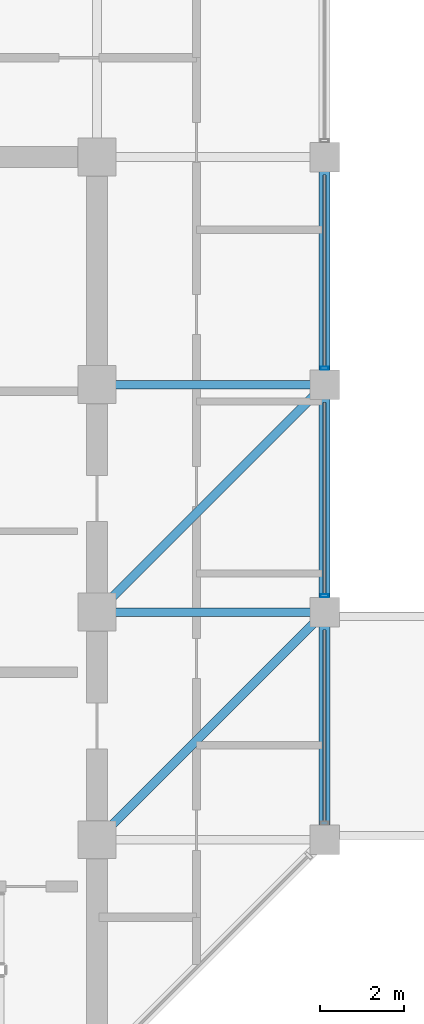
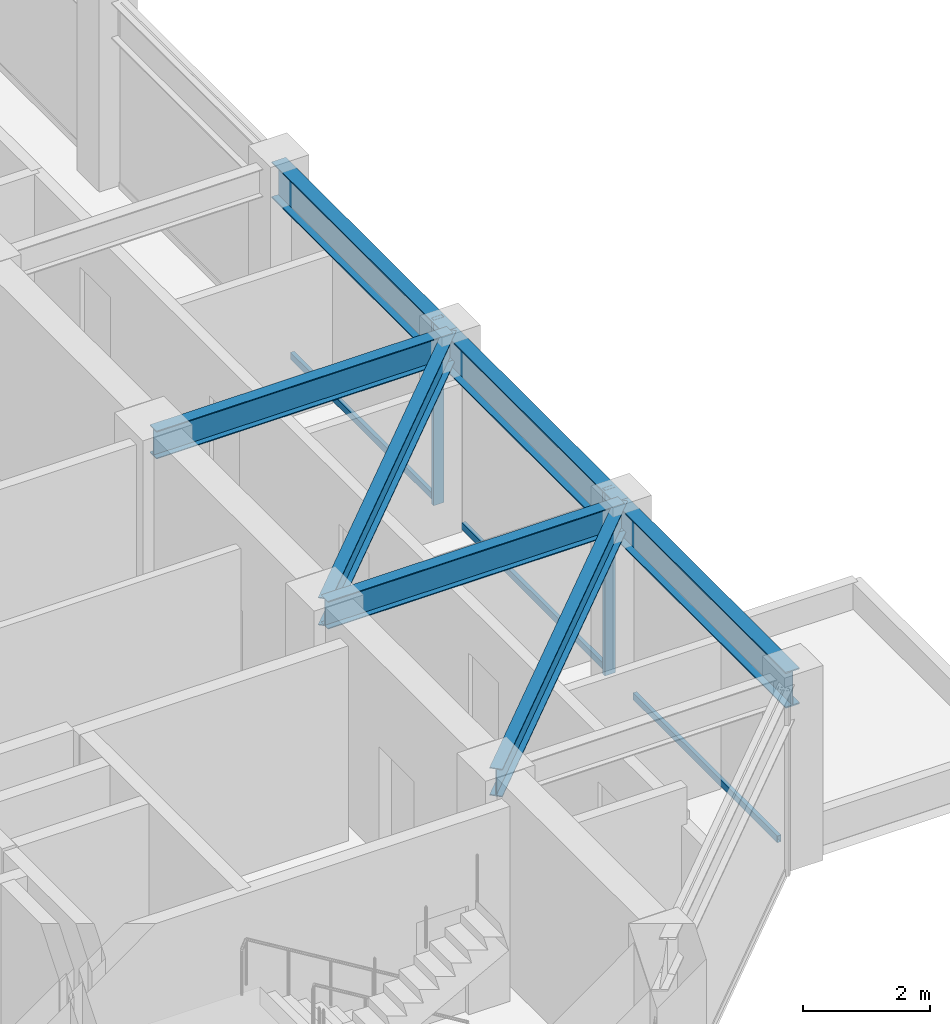
# One storey, part 11 of 29: 7 beams, 5 members, 1 element without a shape of its own.
"""IFC4 building model written with IfcOpenShell, lengths in metres."""

from ifc_helpers import new_model, si_unit, direction, frame, origin, origin_2d, place, context, subcontext, project, spatial, hollow_rectangle, i_section, extrude, material, layer, layer_set, material_profile, profile_set, type_object, element, aggregate, save


model = new_model("IFC4")

# Units and contexts
model_context = context("Model", 3, precision=1e-05, world=origin(), true_north=direction((0.0, 1.0)))
body_context = subcontext(model_context, "Body", "Model", "MODEL_VIEW")
ifc_project = project(units=[si_unit("LENGTHUNIT", "METRE"), si_unit("AREAUNIT", "SQUARE_METRE"), si_unit("VOLUMEUNIT", "CUBIC_METRE"), si_unit("PLANEANGLEUNIT", "RADIAN"), si_unit("MASSUNIT", "GRAM", prefix="KILO")], contexts=[model_context])

# Site, building, storey
site_placement = place(None, origin())
site = spatial("IfcSite", under=ifc_project, at=site_placement, CompositionType="ELEMENT")
building_placement = place(site_placement, origin())
building = spatial("IfcBuilding", under=site, at=building_placement, Name="Surkhivell Harbour Commons", CompositionType="ELEMENT")
storey_placement = place(building_placement, frame((0.0, 0.0, 326.25)))
storey = spatial("IfcBuildingStorey", under=building, at=storey_placement, Name="L85", CompositionType="ELEMENT", Elevation=326.25)

# Beams
ifc_material_1 = material(Name="Steel S355", Category="steel")
ifc_material_profile_1 = material_profile(ifc_material_1, i_section(OverallWidth=0.2099609375, OverallDepth=0.537109375, WebThickness=0.0107421875, FlangeThickness=0.017333984375, at=origin_2d()), Name="UB533x210x101")
ifc_profile_set_1 = profile_set([ifc_material_profile_1], Name="Steel S355")
beam_type_1 = type_object("IfcBeamType", Name="BM-GRD-533B", PredefinedType="BEAM", material=ifc_profile_set_1)
beam_1_placement = place(storey_placement, frame((10.800048828125, -5.39990234375, 3.301513671875), z_axis=(0.707106781187, 0.707106781187, 0.0), x_axis=(-0.707106781187, 0.707106781187, 0.0)))
element("IfcBeam", 1, at=beam_1_placement, inside=storey, type_object=beam_type_1, Name="L85 Floor Girder (10.8,-5.4)", PredefinedType="BEAM", context=body_context, shape_type="SweptSolid", body=[
    extrude(i_section(OverallWidth=0.2099609375, OverallDepth=0.537109375, WebThickness=0.0107421875, FlangeThickness=0.017333984375, at=origin_2d()), origin(), (0.0, 0.0, 1.0), 7.63671875),
])
beam_2_placement = place(storey_placement, frame((10.800048828125, 0.0, 3.301513671875), z_axis=(1.0, 0.0, 0.0), x_axis=(0.0, 1.0, 0.0)))
element("IfcBeam", 2, at=beam_2_placement, inside=storey, type_object=beam_type_1, Name="L85 Floor Girder (10.8,0.0)", PredefinedType="BEAM", context=body_context, shape_type="SweptSolid", body=[
    extrude(i_section(OverallWidth=0.2099609375, OverallDepth=0.537109375, WebThickness=0.0107421875, FlangeThickness=0.017333984375, at=origin_2d()), origin(), (0.0, 0.0, 1.0), 5.39990234375),
])
beam_3_placement = place(storey_placement, frame((10.800048828125, 0.0, 3.301513671875), z_axis=(0.707106781187, 0.707106781187, 0.0), x_axis=(-0.707106781187, 0.707106781187, 0.0)))
element("IfcBeam", 3, at=beam_3_placement, inside=storey, type_object=beam_type_1, Name="L85 Floor Girder (10.8,0.0)", PredefinedType="BEAM", context=body_context, shape_type="SweptSolid", body=[
    extrude(i_section(OverallWidth=0.2099609375, OverallDepth=0.537109375, WebThickness=0.0107421875, FlangeThickness=0.017333984375, at=origin_2d()), origin(), (0.0, 0.0, 1.0), 7.63671875),
])
beam_4_placement = place(storey_placement, frame((10.800048828125, 5.39990234375, 3.301513671875), z_axis=(1.0, 0.0, 0.0), x_axis=(0.0, 1.0, 0.0)))
element("IfcBeam", 4, at=beam_4_placement, inside=storey, type_object=beam_type_1, Name="L85 Floor Girder (10.8,5.4)", PredefinedType="BEAM", context=body_context, shape_type="SweptSolid", body=[
    extrude(i_section(OverallWidth=0.2099609375, OverallDepth=0.537109375, WebThickness=0.0107421875, FlangeThickness=0.017333984375, at=origin_2d()), origin(), (0.0, 0.0, 1.0), 5.39990234375),
])
ifc_material_profile_2 = material_profile(ifc_material_1, i_section(OverallWidth=0.256103515625, OverallDepth=0.693115234375, WebThickness=0.014404296875, FlangeThickness=0.023681640625, at=origin_2d()), Name="UB686x254x170")
ifc_profile_set_2 = profile_set([ifc_material_profile_2], Name="Steel S355")
beam_type_2 = type_object("IfcBeamType", Name="BM-SPN-686", PredefinedType="SPANDREL", material=ifc_profile_set_2)
for number, where, z_axis, x_axis, name in (
    (5, (16.199951171875, -5.39990234375, 3.223388671875), (0.0, 1.0, 0.0), (-1.0, 0.0, 0.0), "L85 Tube Spandrel (16.2,-5.4)"),
    (6, (16.199951171875, 0.0, 3.223388671875), (0.0, 1.0, 0.0), (-1.0, 0.0, 0.0), "L85 Tube Spandrel (16.2,0.0)"),
):
    element("IfcBeam", number, at=place(storey_placement, frame(where, z_axis=z_axis, x_axis=x_axis)), inside=storey, type_object=beam_type_2, Name=name, PredefinedType="SPANDREL", context=body_context, shape_type="SweptSolid", body=[
        extrude(i_section(OverallWidth=0.256103515625, OverallDepth=0.693115234375, WebThickness=0.014404296875, FlangeThickness=0.023681640625, at=origin_2d()), origin(), (0.0, 0.0, 1.0), 5.39990234375),
    ])
beam_5_placement = place(storey_placement, frame((16.199951171875, 5.39990234375, 3.223388671875), z_axis=(0.0, 1.0, 0.0), x_axis=(-1.0, 0.0, 0.0)))
element("IfcBeam", 7, at=beam_5_placement, inside=storey, type_object=beam_type_2, Name="L85 Tube Spandrel (16.2,5.4)", PredefinedType="SPANDREL", context=body_context, shape_type="SweptSolid", body=[
    extrude(i_section(OverallWidth=0.256103515625, OverallDepth=0.693115234375, WebThickness=0.014404296875, FlangeThickness=0.023681640625, at=origin_2d()), origin(), (0.0, 0.0, 1.0), 5.400146484375),
])

# Curtain wall, members
ifc_material_2 = material(Name="Anodised pale-metal aluminium and insulated glazing", Category="aluminium")
ifc_layer = layer(ifc_material_2, 0.175048828125)
ifc_layer_set = layer_set([ifc_layer], Name="Anodised pale-metal aluminium and insulated glazing")
curtain_wall_type = type_object("IfcCurtainWallType", Name="CW-SYS-Z4", PredefinedType="NOTDEFINED", material=ifc_layer_set)
curtain_wall_placement = place(storey_placement, origin())
curtain_wall = element("IfcCurtainWall", 8, at=curtain_wall_placement, inside=storey, type_object=curtain_wall_type, Name="L85 Curtain Wall CW-L85-E02", PredefinedType="NOTDEFINED")
ifc_material_3 = material(Name="Anodised pale-metal aluminium alloy 6063-T6", Category="aluminium")
ifc_material_profile_3 = material_profile(ifc_material_3, hollow_rectangle(XDim=0.074951171875, YDim=0.18994140625, WallThickness=0.00390625, at=origin_2d()), Name="ALU-MULL-75x190")
ifc_profile_set_3 = profile_set([ifc_material_profile_3], Name="Anodised pale-metal aluminium alloy 6063-T6")
member_type_1 = type_object("IfcMemberType", Name="CWM-190", PredefinedType="MULLION", material=ifc_profile_set_3)
member_1_placement = place(storey_placement, frame((16.199951171875, 0.389404296875, 0.0), z_axis=(0.0, 0.0, 1.0), x_axis=(0.0, 1.0, 0.0)))
member_1 = element("IfcMember", 9, at=member_1_placement, type_object=member_type_1, Name="CW-Z4 mullion 2", PredefinedType="MULLION", context=body_context, shape_type="SweptSolid", body=[
    extrude(hollow_rectangle(XDim=0.074951171875, YDim=0.18994140625, WallThickness=0.00390625, at=origin_2d()), origin(), (0.0, 0.0, 1.0), 3.570068359375),
])
member_2_placement = place(storey_placement, frame((16.199951171875, 5.78955078125, 0.0), z_axis=(0.0, 0.0, 1.0), x_axis=(0.0, 1.0, 0.0)))
member_2 = element("IfcMember", 10, at=member_2_placement, type_object=member_type_1, Name="CW-Z4 mullion 3", PredefinedType="MULLION", context=body_context, shape_type="SweptSolid", body=[
    extrude(hollow_rectangle(XDim=0.074951171875, YDim=0.18994140625, WallThickness=0.00390625, at=origin_2d()), origin(), (0.0, 0.0, 1.0), 3.570068359375),
])
ifc_material_4 = material(Name="Champagne anodised aluminium alloy 6063-T6", Category="aluminium")
ifc_material_profile_4 = material_profile(ifc_material_4, hollow_rectangle(XDim=0.070068359375, YDim=0.1298828125, WallThickness=0.00341796875, at=origin_2d()), Name="ALU-TRAN-70x130")
ifc_profile_set_4 = profile_set([ifc_material_profile_4], Name="Champagne anodised aluminium alloy 6063-T6")
member_type_2 = type_object("IfcMemberType", Name="CWT-130", PredefinedType="USERDEFINED", material=ifc_profile_set_4)
member_3_placement = place(storey_placement, frame((16.199951171875, -4.972900390625, 0.06494140625), z_axis=(0.0, 1.0, 0.0), x_axis=(-1.0, 0.0, 0.0)))
member_3 = element("IfcMember", 11, at=member_3_placement, type_object=member_type_2, Name="CW-Z4 transom 1.1", ObjectType="TRANSOM", PredefinedType="USERDEFINED", context=body_context, shape_type="SweptSolid", body=[
    extrude(hollow_rectangle(XDim=0.070068359375, YDim=0.1298828125, WallThickness=0.00341796875, at=origin_2d()), origin(), (0.0, 0.0, 1.0), 4.5458984375),
])
member_4_placement = place(storey_placement, frame((16.199951171875, 0.427001953125, 0.06494140625), z_axis=(0.0, 1.0, 0.0), x_axis=(-1.0, 0.0, 0.0)))
member_4 = element("IfcMember", 12, at=member_4_placement, type_object=member_type_2, Name="CW-Z4 transom 2.1", ObjectType="TRANSOM", PredefinedType="USERDEFINED", context=body_context, shape_type="SweptSolid", body=[
    extrude(hollow_rectangle(XDim=0.070068359375, YDim=0.1298828125, WallThickness=0.00341796875, at=origin_2d()), origin(), (0.0, 0.0, 1.0), 4.5458984375),
])
member_5_placement = place(storey_placement, frame((16.199951171875, 5.826904296875, 0.06494140625), z_axis=(0.0, 1.0, 0.0), x_axis=(-1.0, 0.0, 0.0)))
member_5 = element("IfcMember", 13, at=member_5_placement, type_object=member_type_2, Name="CW-Z4 transom 3.1", ObjectType="TRANSOM", PredefinedType="USERDEFINED", context=body_context, shape_type="SweptSolid", body=[
    extrude(hollow_rectangle(XDim=0.070068359375, YDim=0.1298828125, WallThickness=0.00341796875, at=origin_2d()), origin(), (0.0, 0.0, 1.0), 4.546142578125),
])
aggregate(curtain_wall, [member_3, member_1, member_4, member_2, member_5])

save(model, "model.ifc")
